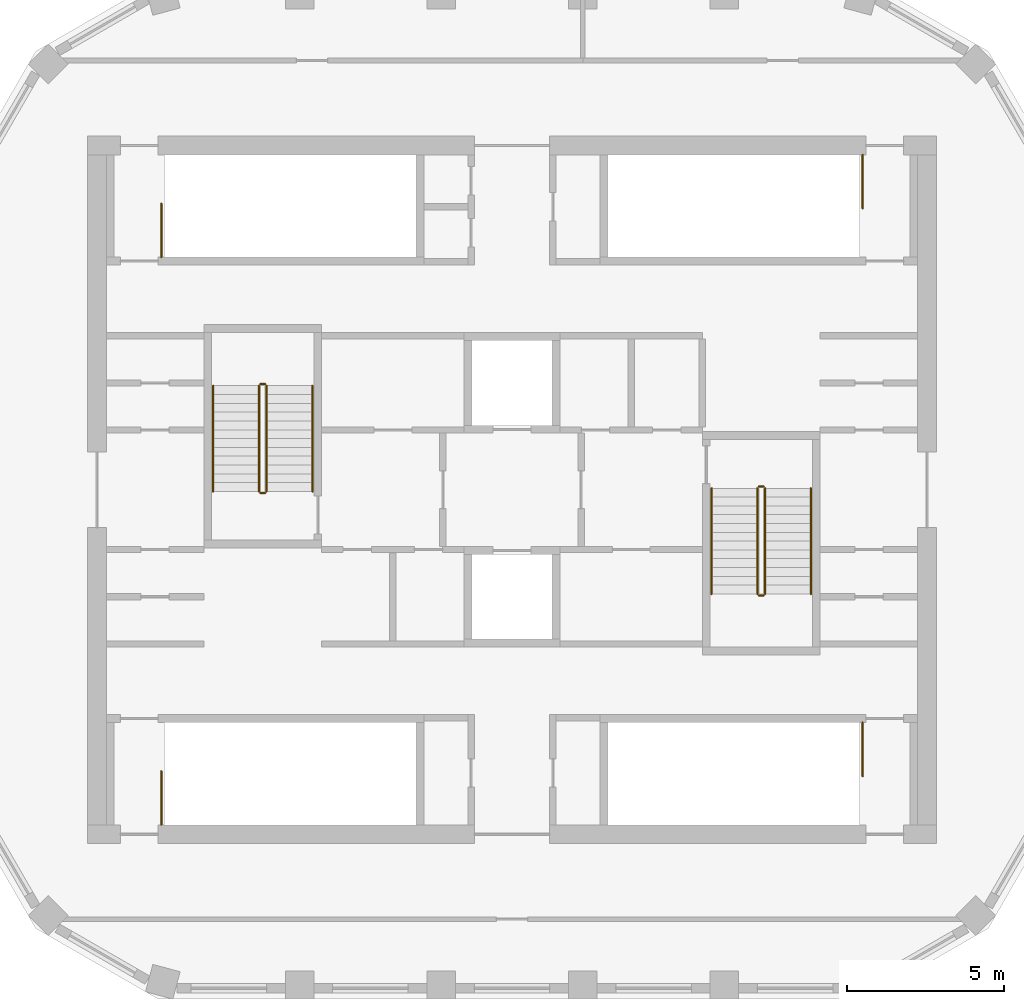
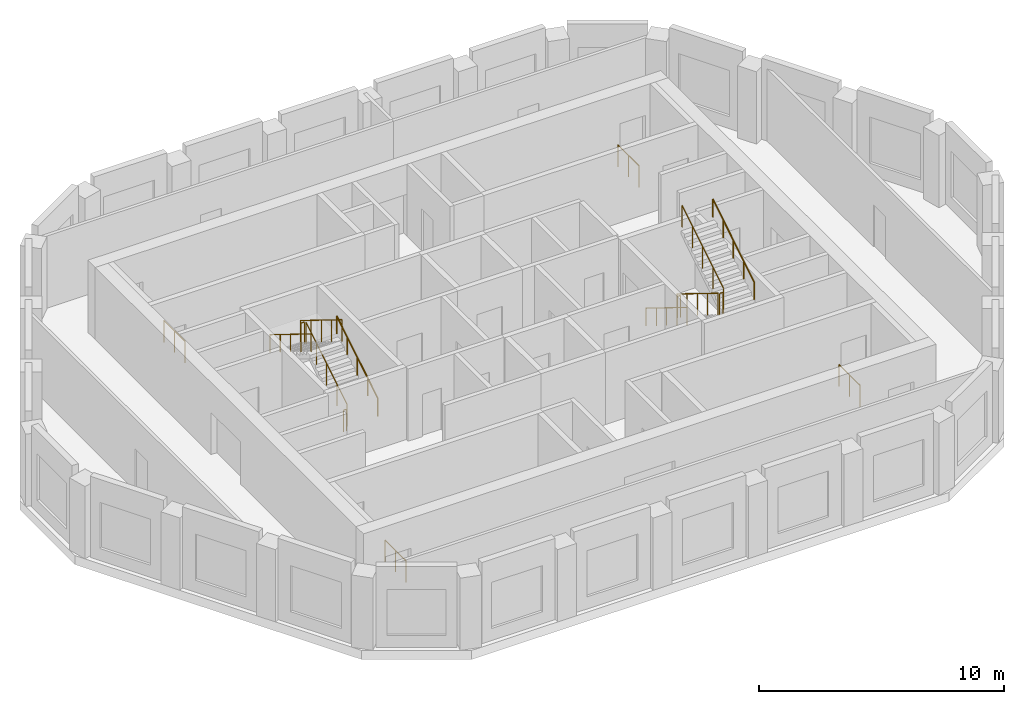
# One storey, part 6 of 6: 16 railings.
"""IFC4 building model written with IfcOpenShell, lengths in metres."""

from ifc_helpers import new_model, si_unit, direction, frame, origin, origin_2d, place, context, subcontext, project, spatial, circle, extrude, material, type_object, element, save


model = new_model("IFC4")

# Units and contexts
model_context = context("Model", 3, precision=1e-05, world=origin(), true_north=direction((0.0, 1.0)))
body_context = subcontext(model_context, "Body", "Model", "MODEL_VIEW")
ifc_project = project(units=[si_unit("LENGTHUNIT", "METRE"), si_unit("AREAUNIT", "SQUARE_METRE"), si_unit("VOLUMEUNIT", "CUBIC_METRE"), si_unit("PLANEANGLEUNIT", "RADIAN"), si_unit("MASSUNIT", "GRAM", prefix="KILO")], contexts=[model_context])

# Site, building, storey
site_placement = place(None, origin())
site = spatial("IfcSite", under=ifc_project, at=site_placement, CompositionType="ELEMENT")
building_placement = place(site_placement, origin())
building = spatial("IfcBuilding", under=site, at=building_placement, Name="Dhurran Vertical Campus", CompositionType="ELEMENT")
storey_placement = place(building_placement, frame((0.0, 0.0, 318.89990234375)))
storey = spatial("IfcBuildingStorey", under=building, at=storey_placement, Name="L78 Plant", CompositionType="ELEMENT", Elevation=318.89990234375)

# Railings
ifc_material_1 = material(Name="Stainless steel balustrade", Category="steel")
railing_type_1 = type_object("IfcRailingType", Name="co-RL-GUARD-1100", PredefinedType="GUARDRAIL", material=ifc_material_1)
railing_1_placement = place(storey_placement, frame((-11.14990234375, 7.39990234375, 0.0)))
element("IfcRailing", 1, at=railing_1_placement, inside=storey, type_object=railing_type_1, Name="L78 Plant ST1 top well guard 1", PredefinedType="GUARDRAIL", context=body_context, shape_type="SweptSolid", body=[
    extrude(circle(Radius=0.02392578125, at=origin_2d()), frame((0.0, 0.0, 1.076171875), z_axis=(0.0, 1.0, 0.0), x_axis=(-1.0, 0.0, 0.0)), (0.0, 0.0, 1.0), 1.7001953125),
    extrude(circle(Radius=0.02099609375, at=origin_2d()), origin(), (0.0, 0.0, 1.0), 1.052001953125),
    extrude(circle(Radius=0.02099609375, at=origin_2d()), frame((0.0, 0.85009765625, 0.0)), (0.0, 0.0, 1.0), 1.052001953125),
    extrude(circle(Radius=0.02099609375, at=origin_2d()), frame((0.0, 1.7001953125, 0.0)), (0.0, 0.0, 1.0), 1.052001953125),
])
railing_2_placement = place(storey_placement, frame((11.14990234375, 10.64990234375, 0.0)))
element("IfcRailing", 2, at=railing_2_placement, inside=storey, type_object=railing_type_1, Name="L78 Plant ST2 top well guard 1", PredefinedType="GUARDRAIL", context=body_context, shape_type="SweptSolid", body=[
    extrude(circle(Radius=0.02392578125, at=origin_2d()), frame((0.0, 0.0, 1.076171875), z_axis=(0.0, -1.0, 0.0), x_axis=(1.0, 0.0, 0.0)), (0.0, 0.0, 1.0), 1.699951171875),
    extrude(circle(Radius=0.02099609375, at=origin_2d()), origin(), (0.0, 0.0, 1.0), 1.052001953125),
    extrude(circle(Radius=0.02099609375, at=origin_2d()), frame((0.0, -0.85009765625, 0.0)), (0.0, 0.0, 1.0), 1.052001953125),
    extrude(circle(Radius=0.02099609375, at=origin_2d()), frame((0.0, -1.699951171875, 0.0)), (0.0, 0.0, 1.0), 1.052001953125),
])
railing_3_placement = place(storey_placement, frame((-11.14990234375, -10.64990234375, 0.0)))
element("IfcRailing", 3, at=railing_3_placement, inside=storey, type_object=railing_type_1, Name="L78 Plant ST3 top well guard 1", PredefinedType="GUARDRAIL", context=body_context, shape_type="SweptSolid", body=[
    extrude(circle(Radius=0.02392578125, at=origin_2d()), frame((0.0, 0.0, 1.076171875), z_axis=(0.0, 1.0, 0.0), x_axis=(-1.0, 0.0, 0.0)), (0.0, 0.0, 1.0), 1.699951171875),
    extrude(circle(Radius=0.02099609375, at=origin_2d()), origin(), (0.0, 0.0, 1.0), 1.052001953125),
    extrude(circle(Radius=0.02099609375, at=origin_2d()), frame((0.0, 0.85009765625, 0.0)), (0.0, 0.0, 1.0), 1.052001953125),
    extrude(circle(Radius=0.02099609375, at=origin_2d()), frame((0.0, 1.699951171875, 0.0)), (0.0, 0.0, 1.0), 1.052001953125),
])
railing_4_placement = place(storey_placement, frame((11.14990234375, -7.39990234375, 0.0)))
element("IfcRailing", 4, at=railing_4_placement, inside=storey, type_object=railing_type_1, Name="L78 Plant ST4 top well guard 1", PredefinedType="GUARDRAIL", context=body_context, shape_type="SweptSolid", body=[
    extrude(circle(Radius=0.02392578125, at=origin_2d()), frame((0.0, 0.0, 1.076171875), z_axis=(0.0, -1.0, 0.0), x_axis=(1.0, 0.0, 0.0)), (0.0, 0.0, 1.0), 1.7001953125),
    extrude(circle(Radius=0.02099609375, at=origin_2d()), origin(), (0.0, 0.0, 1.0), 1.052001953125),
    extrude(circle(Radius=0.02099609375, at=origin_2d()), frame((0.0, -0.85009765625, 0.0)), (0.0, 0.0, 1.0), 1.052001953125),
    extrude(circle(Radius=0.02099609375, at=origin_2d()), frame((0.0, -1.7001953125, 0.0)), (0.0, 0.0, 1.0), 1.052001953125),
])
railing_5_placement = place(storey_placement, frame((-7.800048828125, -0.050048828125, 0.173095703125)))
element("IfcRailing", 5, at=railing_5_placement, inside=storey, type_object=railing_type_1, Name="L78 Plant ST5 stair guard 1", PredefinedType="GUARDRAIL", context=body_context, shape_type="SweptSolid", body=[
    extrude(circle(Radius=0.02392578125, at=origin_2d()), frame((0.0, 0.0, 1.076171875), z_axis=(0.0, 0.850623216509, 0.525775754039), x_axis=(-1.0, 0.0, 0.0)), (0.0, 0.0, 1.0), 3.9501953125),
    extrude(circle(Radius=0.02099609375, at=origin_2d()), origin(), (0.0, 0.0, 1.0), 1.052001953125),
    extrude(circle(Radius=0.02099609375, at=origin_2d()), frame((0.0, 0.840087890625, 0.519287109375)), (0.0, 0.0, 1.0), 1.052001953125),
    extrude(circle(Radius=0.02099609375, at=origin_2d()), frame((0.0, 1.68017578125, 1.03857421875)), (0.0, 0.0, 1.0), 1.052001953125),
    extrude(circle(Radius=0.02099609375, at=origin_2d()), frame((0.0, 2.52001953125, 1.5576171875)), (0.0, 0.0, 1.0), 1.052001953125),
    extrude(circle(Radius=0.02099609375, at=origin_2d()), frame((0.0, 3.360107421875, 2.076904296875)), (0.0, 0.0, 1.0), 1.052001953125),
])
railing_6_placement = place(storey_placement, frame((-7.85009765625, 3.360107421875, 2.25)))
element("IfcRailing", 6, at=railing_6_placement, inside=storey, type_object=railing_type_1, Name="L78 Plant ST5 stair guard 2", PredefinedType="GUARDRAIL", context=body_context, shape_type="SweptSolid", body=[
    extrude(circle(Radius=0.02392578125, at=origin_2d()), frame((0.0, 0.0, 1.076171875), z_axis=(-1.0, 0.0, 0.0), x_axis=(0.0, -1.0, 0.0)), (0.0, 0.0, 1.0), 0.14990234375),
    extrude(circle(Radius=0.02099609375, at=origin_2d()), origin(), (0.0, 0.0, 1.0), 1.052001953125),
    extrude(circle(Radius=0.02099609375, at=origin_2d()), frame((-0.14990234375, 0.0, 0.0)), (0.0, 0.0, 1.0), 1.052001953125),
])
railing_7_placement = place(storey_placement, frame((-8.050048828125, 3.31005859375, 2.423095703125)))
element("IfcRailing", 7, at=railing_7_placement, inside=storey, type_object=railing_type_1, Name="L78 Plant ST5 stair guard 3", PredefinedType="GUARDRAIL", context=body_context, shape_type="SweptSolid", body=[
    extrude(circle(Radius=0.02392578125, at=origin_2d()), frame((0.0, 0.0, 1.076171875), z_axis=(0.0, -0.850623216509, 0.525775754039), x_axis=(1.0, 0.0, 0.0)), (0.0, 0.0, 1.0), 3.9501953125),
    extrude(circle(Radius=0.02099609375, at=origin_2d()), origin(), (0.0, 0.0, 1.0), 1.052001953125),
    extrude(circle(Radius=0.02099609375, at=origin_2d()), frame((0.0, -0.840087890625, 0.519287109375)), (0.0, 0.0, 1.0), 1.052001953125),
    extrude(circle(Radius=0.02099609375, at=origin_2d()), frame((0.0, -1.68017578125, 1.03857421875)), (0.0, 0.0, 1.0), 1.052001953125),
    extrude(circle(Radius=0.02099609375, at=origin_2d()), frame((0.0, -2.52001953125, 1.5576171875)), (0.0, 0.0, 1.0), 1.052001953125),
    extrude(circle(Radius=0.02099609375, at=origin_2d()), frame((0.0, -3.360107421875, 2.076904296875)), (0.0, 0.0, 1.0), 1.052001953125),
])
railing_8_placement = place(storey_placement, frame((-7.85009765625, -0.10009765625, 0.0)))
element("IfcRailing", 8, at=railing_8_placement, inside=storey, type_object=railing_type_1, Name="L78 Plant ST5 stair guard 4", PredefinedType="GUARDRAIL", context=body_context, shape_type="SweptSolid", body=[
    extrude(circle(Radius=0.02392578125, at=origin_2d()), frame((0.0, 0.0, 1.076171875), z_axis=(-1.0, 0.0, 0.0), x_axis=(0.0, -1.0, 0.0)), (0.0, 0.0, 1.0), 0.14990234375),
    extrude(circle(Radius=0.02099609375, at=origin_2d()), origin(), (0.0, 0.0, 1.0), 1.052001953125),
    extrude(circle(Radius=0.02099609375, at=origin_2d()), frame((-0.14990234375, 0.0, 0.0)), (0.0, 0.0, 1.0), 1.052001953125),
])
railing_9_placement = place(storey_placement, frame((7.800048828125, 0.050048828125, 0.173095703125)))
element("IfcRailing", 9, at=railing_9_placement, inside=storey, type_object=railing_type_1, Name="L78 Plant ST6 stair guard 1", PredefinedType="GUARDRAIL", context=body_context, shape_type="SweptSolid", body=[
    extrude(circle(Radius=0.02392578125, at=origin_2d()), frame((0.0, 0.0, 1.076171875), z_axis=(0.0, -0.850623216509, 0.525775754039), x_axis=(1.0, 0.0, 0.0)), (0.0, 0.0, 1.0), 3.9501953125),
    extrude(circle(Radius=0.02099609375, at=origin_2d()), origin(), (0.0, 0.0, 1.0), 1.052001953125),
    extrude(circle(Radius=0.02099609375, at=origin_2d()), frame((0.0, -0.840087890625, 0.519287109375)), (0.0, 0.0, 1.0), 1.052001953125),
    extrude(circle(Radius=0.02099609375, at=origin_2d()), frame((0.0, -1.68017578125, 1.03857421875)), (0.0, 0.0, 1.0), 1.052001953125),
    extrude(circle(Radius=0.02099609375, at=origin_2d()), frame((0.0, -2.52001953125, 1.5576171875)), (0.0, 0.0, 1.0), 1.052001953125),
    extrude(circle(Radius=0.02099609375, at=origin_2d()), frame((0.0, -3.360107421875, 2.076904296875)), (0.0, 0.0, 1.0), 1.052001953125),
])
railing_10_placement = place(storey_placement, frame((7.85009765625, -3.360107421875, 2.25)))
element("IfcRailing", 10, at=railing_10_placement, inside=storey, type_object=railing_type_1, Name="L78 Plant ST6 stair guard 2", PredefinedType="GUARDRAIL", context=body_context, shape_type="SweptSolid", body=[
    extrude(circle(Radius=0.02392578125, at=origin_2d()), frame((0.0, 0.0, 1.076171875), z_axis=(1.0, 0.0, 0.0), x_axis=(0.0, 1.0, 0.0)), (0.0, 0.0, 1.0), 0.14990234375),
    extrude(circle(Radius=0.02099609375, at=origin_2d()), origin(), (0.0, 0.0, 1.0), 1.052001953125),
    extrude(circle(Radius=0.02099609375, at=origin_2d()), frame((0.14990234375, 0.0, 0.0)), (0.0, 0.0, 1.0), 1.052001953125),
])
railing_11_placement = place(storey_placement, frame((8.050048828125, -3.31005859375, 2.423095703125)))
element("IfcRailing", 11, at=railing_11_placement, inside=storey, type_object=railing_type_1, Name="L78 Plant ST6 stair guard 3", PredefinedType="GUARDRAIL", context=body_context, shape_type="SweptSolid", body=[
    extrude(circle(Radius=0.02392578125, at=origin_2d()), frame((0.0, 0.0, 1.076171875), z_axis=(0.0, 0.850623216509, 0.525775754039), x_axis=(-1.0, 0.0, 0.0)), (0.0, 0.0, 1.0), 3.9501953125),
    extrude(circle(Radius=0.02099609375, at=origin_2d()), origin(), (0.0, 0.0, 1.0), 1.052001953125),
    extrude(circle(Radius=0.02099609375, at=origin_2d()), frame((0.0, 0.840087890625, 0.519287109375)), (0.0, 0.0, 1.0), 1.052001953125),
    extrude(circle(Radius=0.02099609375, at=origin_2d()), frame((0.0, 1.68017578125, 1.03857421875)), (0.0, 0.0, 1.0), 1.052001953125),
    extrude(circle(Radius=0.02099609375, at=origin_2d()), frame((0.0, 2.52001953125, 1.5576171875)), (0.0, 0.0, 1.0), 1.052001953125),
    extrude(circle(Radius=0.02099609375, at=origin_2d()), frame((0.0, 3.360107421875, 2.076904296875)), (0.0, 0.0, 1.0), 1.052001953125),
])
railing_12_placement = place(storey_placement, frame((7.85009765625, 0.10009765625, 0.0)))
element("IfcRailing", 12, at=railing_12_placement, inside=storey, type_object=railing_type_1, Name="L78 Plant ST6 stair guard 4", PredefinedType="GUARDRAIL", context=body_context, shape_type="SweptSolid", body=[
    extrude(circle(Radius=0.02392578125, at=origin_2d()), frame((0.0, 0.0, 1.076171875), z_axis=(1.0, 0.0, 0.0), x_axis=(0.0, 1.0, 0.0)), (0.0, 0.0, 1.0), 0.14990234375),
    extrude(circle(Radius=0.02099609375, at=origin_2d()), origin(), (0.0, 0.0, 1.0), 1.052001953125),
    extrude(circle(Radius=0.02099609375, at=origin_2d()), frame((0.14990234375, 0.0, 0.0)), (0.0, 0.0, 1.0), 1.052001953125),
])
ifc_material_2 = material(Name="Stainless steel handrail", Category="steel")
railing_type_2 = type_object("IfcRailingType", Name="co-RL-HANDRAIL-900", PredefinedType="HANDRAIL", material=ifc_material_2)
railing_13_placement = place(storey_placement, frame((-6.35009765625, -0.050048828125, 0.173095703125)))
element("IfcRailing", 13, at=railing_13_placement, inside=storey, type_object=railing_type_2, Name="L78 Plant ST5 stair handrail 1", PredefinedType="HANDRAIL", context=body_context, shape_type="SweptSolid", body=[
    extrude(circle(Radius=0.02392578125, at=origin_2d()), frame((0.0, 0.0, 0.8759765625), z_axis=(0.0, 0.850623216509, 0.525775754039), x_axis=(-1.0, 0.0, 0.0)), (0.0, 0.0, 1.0), 3.9501953125),
    extrude(circle(Radius=0.02099609375, at=origin_2d()), origin(), (0.0, 0.0, 1.0), 0.851806640625),
    extrude(circle(Radius=0.02099609375, at=origin_2d()), frame((0.0, 0.840087890625, 0.519287109375)), (0.0, 0.0, 1.0), 0.851806640625),
    extrude(circle(Radius=0.02099609375, at=origin_2d()), frame((0.0, 1.68017578125, 1.03857421875)), (0.0, 0.0, 1.0), 0.851806640625),
    extrude(circle(Radius=0.02099609375, at=origin_2d()), frame((0.0, 2.52001953125, 1.5576171875)), (0.0, 0.0, 1.0), 0.851806640625),
    extrude(circle(Radius=0.02099609375, at=origin_2d()), frame((0.0, 3.360107421875, 2.076904296875)), (0.0, 0.0, 1.0), 0.851806640625),
])
for number, where, name in (
    (14, (-9.5, 3.31005859375, 2.423095703125), "L78 Plant ST5 stair handrail 2"),
    (15, (6.35009765625, 0.050048828125, 0.173095703125), "L78 Plant ST6 stair handrail 1"),
):
    element("IfcRailing", number, at=place(storey_placement, frame(where)), inside=storey, type_object=railing_type_2, Name=name, PredefinedType="HANDRAIL", context=body_context, shape_type="SweptSolid", body=[
        extrude(circle(Radius=0.02392578125, at=origin_2d()), frame((0.0, 0.0, 0.8759765625), z_axis=(0.0, -0.850623216509, 0.525775754039), x_axis=(1.0, 0.0, 0.0)), (0.0, 0.0, 1.0), 3.9501953125),
        extrude(circle(Radius=0.02099609375, at=origin_2d()), origin(), (0.0, 0.0, 1.0), 0.851806640625),
        extrude(circle(Radius=0.02099609375, at=origin_2d()), frame((0.0, -0.840087890625, 0.519287109375)), (0.0, 0.0, 1.0), 0.851806640625),
        extrude(circle(Radius=0.02099609375, at=origin_2d()), frame((0.0, -1.68017578125, 1.03857421875)), (0.0, 0.0, 1.0), 0.851806640625),
        extrude(circle(Radius=0.02099609375, at=origin_2d()), frame((0.0, -2.52001953125, 1.5576171875)), (0.0, 0.0, 1.0), 0.851806640625),
        extrude(circle(Radius=0.02099609375, at=origin_2d()), frame((0.0, -3.360107421875, 2.076904296875)), (0.0, 0.0, 1.0), 0.851806640625),
    ])
railing_14_placement = place(storey_placement, frame((9.5, -3.31005859375, 2.423095703125)))
element("IfcRailing", 16, at=railing_14_placement, inside=storey, type_object=railing_type_2, Name="L78 Plant ST6 stair handrail 2", PredefinedType="HANDRAIL", context=body_context, shape_type="SweptSolid", body=[
    extrude(circle(Radius=0.02392578125, at=origin_2d()), frame((0.0, 0.0, 0.8759765625), z_axis=(0.0, 0.850623216509, 0.525775754039), x_axis=(-1.0, 0.0, 0.0)), (0.0, 0.0, 1.0), 3.9501953125),
    extrude(circle(Radius=0.02099609375, at=origin_2d()), origin(), (0.0, 0.0, 1.0), 0.851806640625),
    extrude(circle(Radius=0.02099609375, at=origin_2d()), frame((0.0, 0.840087890625, 0.519287109375)), (0.0, 0.0, 1.0), 0.851806640625),
    extrude(circle(Radius=0.02099609375, at=origin_2d()), frame((0.0, 1.68017578125, 1.03857421875)), (0.0, 0.0, 1.0), 0.851806640625),
    extrude(circle(Radius=0.02099609375, at=origin_2d()), frame((0.0, 2.52001953125, 1.5576171875)), (0.0, 0.0, 1.0), 0.851806640625),
    extrude(circle(Radius=0.02099609375, at=origin_2d()), frame((0.0, 3.360107421875, 2.076904296875)), (0.0, 0.0, 1.0), 0.851806640625),
])

save(model, "model.ifc")
